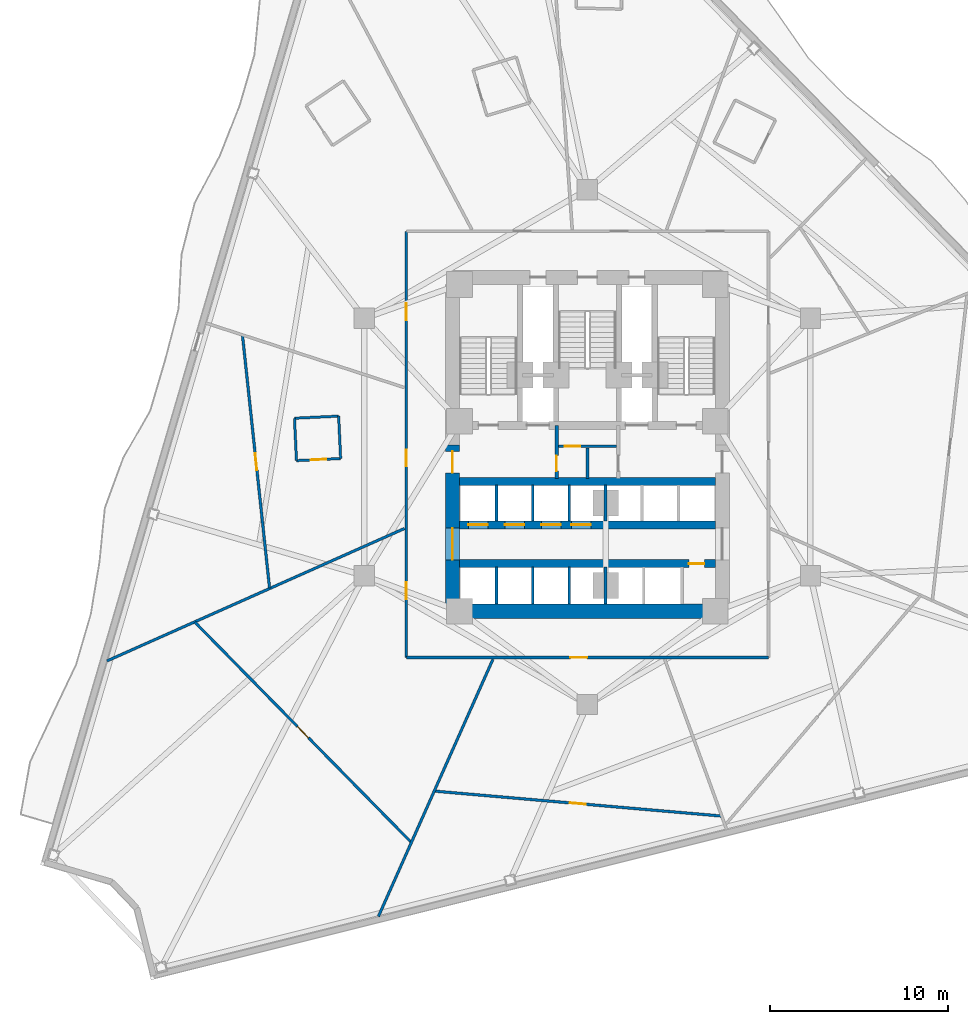
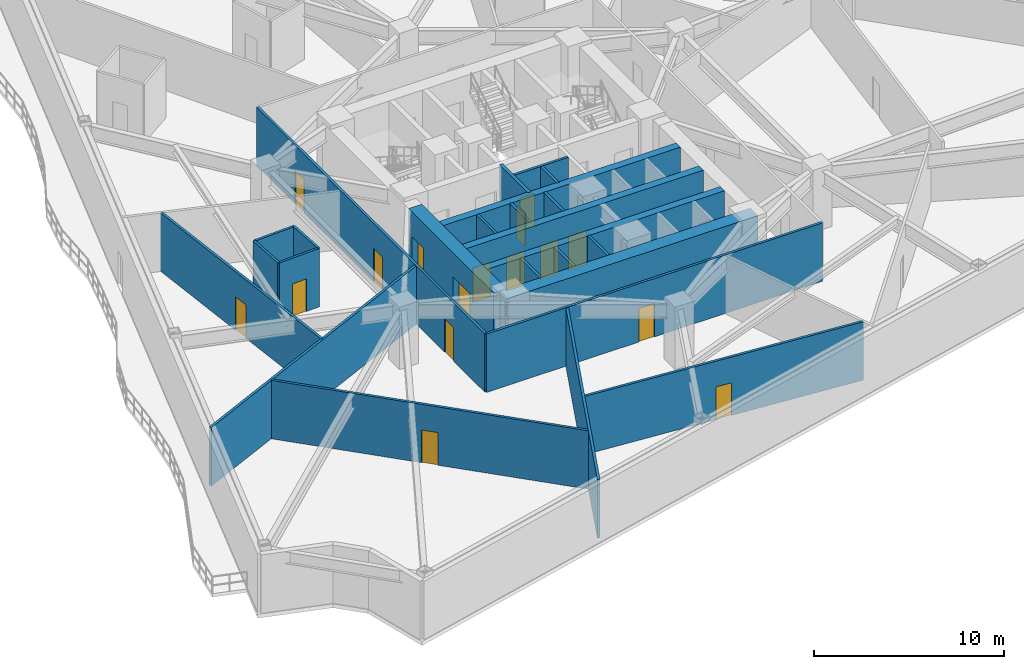
# One storey, part 3 of 9: 27 walls, 17 doors, 17 openings.
"""IFC4 building model written with IfcOpenShell, lengths in metres."""

import ifcopenshell
import ifcopenshell.guid

model = None  # the IFC model being written
_history = None  # IfcOwnerHistory: only IFC2X3 demands one
_inside = {}  # id of a spatial element -> (the spatial element, [elements in it])
_under = {}  # id of a project, library or spatial element -> (it, [spatial elements below it])
_declared = {}  # id of a project -> (the project, [libraries it declares])
_typed = {}  # id of a type object -> (the type object, [elements of that type])
_made_of = {}  # id of a material, layer set ... -> (it, [elements and type objects made of it])


def new_model(schema):
    """Start an empty IFC model of exactly this schema.

    Asked for "IFC4X3", IfcOpenShell would pick the latest addendum, in which some entities
    have other attributes; the version numbers below select the first issue.
    IFC2X3 requires an IfcOwnerHistory on every rooted entity: one is made here for all.
    """
    global model, _history
    if schema == "IFC4X3":
        model = ifcopenshell.file(schema_version=(4, 3, 0, 0))
    else:
        model = ifcopenshell.file(schema=schema)
    _inside.clear()
    _under.clear()
    _declared.clear()
    _typed.clear()
    _made_of.clear()
    _history = None
    if model.schema == "IFC2X3":
        org = make("IfcOrganization", Name="unknown")
        user = make(
            "IfcPersonAndOrganization",
            ThePerson=make("IfcPerson", FamilyName="unknown"),
            TheOrganization=org,
        )
        app = make(
            "IfcApplication",
            ApplicationDeveloper=org,
            Version="unknown",
            ApplicationFullName="unknown",
            ApplicationIdentifier="unknown",
        )
        _history = make(
            "IfcOwnerHistory",
            OwningUser=user,
            OwningApplication=app,
            ChangeAction="ADDED",
            CreationDate=0,
        )
    return model


def make(cls, **values):
    """One entity of the class cls with the attributes given. An attribute that is None is left unset."""
    return model.create_entity(
        cls, **{name: value for name, value in values.items() if value is not None}
    )


def rooted(cls, **values):
    """An entity with a GlobalId (a new one), such as an element, a storey or a relation."""
    return make(cls, GlobalId=ifcopenshell.guid.new(), OwnerHistory=_history, **values)


def si_unit(unit_type, name, prefix=None):
    """IfcSIUnit, for example si_unit("LENGTHUNIT", "METRE", prefix="MILLI")."""
    return make("IfcSIUnit", UnitType=unit_type, Prefix=prefix, Name=name)


def assignment(units):
    """IfcUnitAssignment: the units of a project."""
    return None if units is None else make("IfcUnitAssignment", Units=units)


def point(xyz):
    """IfcCartesianPoint."""
    return None if xyz is None else make("IfcCartesianPoint", Coordinates=xyz)


def direction(xyz):
    """IfcDirection."""
    return None if xyz is None else make("IfcDirection", DirectionRatios=xyz)


def frame(location, z_axis=None, x_axis=None):
    """IfcAxis2Placement3D, a coordinate frame: its origin and axes. An axis left out is left unset."""
    return make(
        "IfcAxis2Placement3D",
        Location=point(location),
        Axis=direction(z_axis),
        RefDirection=direction(x_axis),
    )


def frame_2d(location, x_axis=None):
    """IfcAxis2Placement2D, a coordinate frame in the plane: its origin and x axis."""
    return make(
        "IfcAxis2Placement2D", Location=point(location), RefDirection=direction(x_axis)
    )


def origin():
    """The frame at (0, 0, 0) with its axes left unset."""
    return frame((0.0, 0.0, 0.0))


def place(relative_to, where):
    """IfcLocalPlacement: puts the frame where relative to a parent placement (None: the world)."""
    return make(
        "IfcLocalPlacement", PlacementRelTo=relative_to, RelativePlacement=where
    )


def context(
    kind, dimensions, precision=None, world=None, true_north=None, identifier=None
):
    """IfcGeometricRepresentationContext, for example the 3D "Model" context."""
    return make(
        "IfcGeometricRepresentationContext",
        ContextIdentifier=identifier,
        ContextType=kind,
        CoordinateSpaceDimension=dimensions,
        Precision=precision,
        WorldCoordinateSystem=world,
        TrueNorth=true_north,
    )


def subcontext(parent, identifier, kind, view, scale=None):
    """IfcGeometricRepresentationSubContext, for example "Body" below "Model"."""
    return make(
        "IfcGeometricRepresentationSubContext",
        ContextIdentifier=identifier,
        ContextType=kind,
        ParentContext=parent,
        TargetScale=scale,
        TargetView=view,
    )


def project(units=None, contexts=None):
    """IfcProject with its units and contexts."""
    return rooted(
        "IfcProject",
        Name="project",
        RepresentationContexts=contexts,
        UnitsInContext=assignment(units),
    )


def spatial(cls, under=None, at=None, **own):
    """A site, building, storey or space (cls), placed at a placement, below another one or the project."""
    s = rooted(cls, ObjectPlacement=at, **own)
    if under is not None:
        _under.setdefault(under.id(), (under, []))[1].append(s)
    return s


def profile(cls, at=None, kind="AREA", **sizes):
    """A parametric profile (cls). Its sizes go by their IFC names, for example OverallWidth=200.0."""
    return make(cls, ProfileType=kind, Position=at, **sizes)


def rectangle(**sizes):
    """IfcRectangleProfileDef."""
    return profile("IfcRectangleProfileDef", **sizes)


def extrude(swept, where, along, depth):
    """IfcExtrudedAreaSolid: the profile swept, set in the frame where, extruded along a direction by depth."""
    return make(
        "IfcExtrudedAreaSolid",
        SweptArea=swept,
        Position=where,
        ExtrudedDirection=direction(along),
        Depth=depth,
    )


def shape(context_of_items, identifier, shape_type, items):
    """IfcShapeRepresentation: the items that make up one representation, for example the "Body"."""
    return make(
        "IfcShapeRepresentation",
        ContextOfItems=context_of_items,
        RepresentationIdentifier=identifier,
        RepresentationType=shape_type,
        Items=items,
    )


def material(Name=None, Category=None):
    """IfcMaterial."""
    return make("IfcMaterial", Name=Name, Category=Category)


def layer(
    of_material, thickness, ventilated=None, Name=None, Category=None, Priority=None
):
    """IfcMaterialLayer: one layer of a wall or slab, of a material (None: an air gap)."""
    return make(
        "IfcMaterialLayer",
        Material=of_material,
        LayerThickness=thickness,
        IsVentilated=ventilated,
        Name=Name,
        Category=Category,
        Priority=Priority,
    )


def layer_set(layers, Name=None):
    """IfcMaterialLayerSet."""
    return make("IfcMaterialLayerSet", MaterialLayers=layers, LayerSetName=Name)


def made_of(thing, what):
    """Note that an element or type object is made of a material, layer set ...; save() writes the relation."""
    if what is not None:
        _made_of.setdefault(what.id(), (what, []))[1].append(thing)
    return thing


def type_object(cls, material=None, **own):
    """A type object (cls), such as IfcWallType, which elements share."""
    return made_of(rooted(cls, **own), material)


def element(
    cls,
    number,
    at=None,
    inside=None,
    cuts=None,
    type_object=None,
    material=None,
    context=None,
    identifier="Body",
    shape_type=None,
    held_by="IfcProductDefinitionShape",
    body=None,
    shapes=None,
    **own,
):
    """One element of the class cls, such as IfcWall. Its Tag is "e" and its number.

    at: its placement. inside: the storey or other place that contains it. cuts: it is an
    opening in that element (IfcRelVoidsElement). A single representation is given by context,
    identifier, shape_type and body (its items); several are given by shapes. held_by: the class
    of the entity that holds the representations. save() writes the other relations.
    """
    e = rooted(cls, Tag="e%d" % number, ObjectPlacement=at, **own)
    if body is not None:
        shapes = [shape(context, identifier, shape_type, body)]
    if shapes is not None:
        e.Representation = make(held_by, Representations=shapes)
    if inside is not None:
        _inside.setdefault(inside.id(), (inside, []))[1].append(e)
    if cuts is not None:
        rooted(
            "IfcRelVoidsElement", RelatingBuildingElement=cuts, RelatedOpeningElement=e
        )
    if type_object is not None:
        _typed.setdefault(type_object.id(), (type_object, []))[1].append(e)
    return made_of(e, material)


def fill(opening, filler):
    """IfcRelFillsElement: the door or window that sits in an opening."""
    return rooted(
        "IfcRelFillsElement",
        RelatingOpeningElement=opening,
        RelatedBuildingElement=filler,
    )


def aggregate(whole, parts):
    """IfcRelAggregates: a whole, such as a stair, and the parts it consists of."""
    return rooted("IfcRelAggregates", RelatingObject=whole, RelatedObjects=parts)


def save(model, path):
    """Write the relations noted so far, then the file.

    IfcRelAggregates (storeys below a building ...), IfcRelContainedInSpatialStructure (elements
    in a storey), IfcRelDefinesByType, IfcRelAssociatesMaterial and IfcRelDeclares: one each for
    every whole, place, type object, material and project.
    """
    for whole, parts in _under.values():
        aggregate(whole, parts)
    for where, things in _inside.values():
        rooted(
            "IfcRelContainedInSpatialStructure",
            RelatedElements=things,
            RelatingStructure=where,
        )
    for kind, things in _typed.values():
        rooted("IfcRelDefinesByType", RelatedObjects=things, RelatingType=kind)
    for what, things in _made_of.values():
        rooted("IfcRelAssociatesMaterial", RelatedObjects=things, RelatingMaterial=what)
    for by, libraries in _declared.values():
        rooted("IfcRelDeclares", RelatingContext=by, RelatedDefinitions=libraries)
    model.write(path)


model = new_model("IFC4")

# Units and contexts
model_context = context("Model", 3, precision=1e-05, world=origin(), true_north=direction((0.0, 1.0)))
body_context = subcontext(model_context, "Body", "Model", "MODEL_VIEW")
ifc_project = project(units=[si_unit("LENGTHUNIT", "METRE"), si_unit("AREAUNIT", "SQUARE_METRE"), si_unit("VOLUMEUNIT", "CUBIC_METRE"), si_unit("PLANEANGLEUNIT", "RADIAN"), si_unit("MASSUNIT", "GRAM", prefix="KILO")], contexts=[model_context])

# Site, building, storey
site_placement = place(None, origin())
site = spatial("IfcSite", under=ifc_project, at=site_placement, CompositionType="ELEMENT")
building_placement = place(site_placement, origin())
building = spatial("IfcBuilding", under=site, at=building_placement, Name="Apsidion Concourse Tower", CompositionType="ELEMENT")
storey_placement = place(building_placement, frame((0.0, 0.0, 103.0)))
storey = spatial("IfcBuildingStorey", under=building, at=storey_placement, Name="L23", CompositionType="ELEMENT", Elevation=103.0)

# Walls
ifc_material_1 = material(Name="Gypsum plasterboard partition")
ifc_layer_1 = layer(ifc_material_1, 0.139892578125)
ifc_layer_set_1 = layer_set([ifc_layer_1], Name="Gypsum plasterboard partition")
wall_type_1 = type_object("IfcWallType", Name="WL-INT-PAR-140", PredefinedType="PARTITIONING", material=ifc_layer_set_1)
wall_1_placement = place(storey_placement, frame((-14.0107421875, 1.73876953125, 0.0), z_axis=(0.0, 0.0, 1.0), x_axis=(-0.998891967953, -0.04706204796, 0.0)))
element("IfcWall", 1, at=wall_1_placement, inside=storey, type_object=wall_type_1, Name="L23 Interior Partition WL-L23-POD-HKAWC-S1", PredefinedType="PARTITIONING", context=body_context, shape_type="SweptSolid", body=[
    extrude(rectangle(XDim=2.489990234375, YDim=0.139892578125, at=frame_2d((1.2451171875, 0.0))), origin(), (0.0, 0.0, 1.0), 3.75),
])
wall_2_placement = place(storey_placement, frame((-16.498046875, 1.62158203125, 0.0), z_axis=(0.0, 0.0, 1.0), x_axis=(0.047089538804, -0.998890672364, 0.0)))
element("IfcWall", 2, at=wall_2_placement, inside=storey, type_object=wall_type_1, Name="L23 Interior Partition WL-L23-POD-HKAWC-S2", PredefinedType="PARTITIONING", context=body_context, shape_type="SweptSolid", body=[
    extrude(rectangle(XDim=2.39013671875, YDim=0.139892578125, at=frame_2d((1.195068359375, 0.0))), origin(), (0.0, 0.0, 1.0), 3.75),
])

# Wall, opening, door
wall_3_placement = place(storey_placement, frame((-16.385498046875, -0.765869140625, 0.0), z_axis=(0.0, 0.0, 1.0), x_axis=(0.998887354054, 0.04715987606, 0.0)))
wall_3 = element("IfcWall", 3, at=wall_3_placement, inside=storey, type_object=wall_type_1, Name="L23 Interior Partition WL-L23-POD-HKAWC-S3", PredefinedType="PARTITIONING", context=body_context, shape_type="SweptSolid", body=[
    extrude(rectangle(XDim=2.489990234375, YDim=0.139892578125, at=frame_2d((1.2451171875, 0.0))), origin(), (0.0, 0.0, 1.0), 3.75),
])
opening_1_placement = place(wall_3_placement, frame((0.804931640625, 0.0, 0.0)))
opening_1 = element("IfcOpeningElement", 4, at=opening_1_placement, cuts=wall_3, Name="Opening D-03L", PredefinedType="OPENING", context=body_context, shape_type="SweptSolid", body=[
    extrude(rectangle(XDim=0.8798828125, YDim=2.10009765625, at=frame_2d((0.43994140625, 1.050048828125))), frame((0.0, 0.080078125, 0.0), z_axis=(0.0, -1.0, 0.0), x_axis=(1.0, 0.0, 0.0)), (0.0, 0.0, 1.0), 0.159912109375),
])
ifc_material_2 = material(Name="Anodised aluminium EN AW-6063 T6", Category="aluminium")
door_type_1 = type_object("IfcDoorType", Name="DR-INT-D03L", OperationType="SINGLE_SWING_LEFT", PredefinedType="DOOR", material=ifc_material_2)
door_1_placement = place(opening_1_placement, origin())
door_1 = element("IfcDoor", 5, at=door_1_placement, inside=storey, type_object=door_type_1, Name="L23 Hotel Accessible WC Door HKAWC", OperationType="SINGLE_SWING_LEFT", OverallHeight=2.10009765625, OverallWidth=0.8798828125, PredefinedType="DOOR", context=body_context, shape_type="SweptSolid", body=[
    extrude(rectangle(XDim=0.8798828125, YDim=2.10009765625, at=frame_2d((0.43994140625, 1.050048828125))), frame((0.0, 0.02490234375, 0.0), z_axis=(0.0, -1.0, 0.0), x_axis=(1.0, 0.0, 0.0)), (0.0, 0.0, 1.0), 0.050048828125),
])
fill(opening_1, door_1)

# Walls
wall_4_placement = place(storey_placement, frame((-13.898193359375, -0.6484375, 0.0), z_axis=(0.0, 0.0, 1.0), x_axis=(-0.047094343989, 0.998890445827, 0.0)))
element("IfcWall", 6, at=wall_4_placement, inside=storey, type_object=wall_type_1, Name="L23 Interior Partition WL-L23-POD-HKAWC-S4", PredefinedType="PARTITIONING", context=body_context, shape_type="SweptSolid", body=[
    extrude(rectangle(XDim=2.389892578125, YDim=0.139892578125, at=frame_2d((1.19482421875, 0.0))), origin(), (0.0, 0.0, 1.0), 3.75),
])
ifc_layer_2 = layer(ifc_material_1, 0.14990234375)
ifc_layer_set_2 = layer_set([ifc_layer_2], Name="Gypsum plasterboard partition")
wall_type_2 = type_object("IfcWallType", Name="WL-INT-PAR-150", PredefinedType="PARTITIONING", material=ifc_layer_set_2)
for number, where, z_axis, x_axis, name in (
    (7, (-5.125, -4.179931640625, 0.0), (0.0, 0.0, 1.0), (0.0, 1.0, 0.0), "L23 Interior Partition WL-L23-B1DIV-1"),
    (8, (-3.074951171875, -4.179931640625, 0.0), (0.0, 0.0, 1.0), (0.0, 1.0, 0.0), "L23 Interior Partition WL-L23-B1DIV-2"),
    (9, (-1.02490234375, -4.179931640625, 0.0), (0.0, 0.0, 1.0), (0.0, 1.0, 0.0), "L23 Interior Partition WL-L23-B1DIV-3"),
):
    element("IfcWall", number, at=place(storey_placement, frame(where, z_axis=z_axis, x_axis=x_axis)), inside=storey, type_object=wall_type_2, Name=name, PredefinedType="PARTITIONING", context=body_context, shape_type="SweptSolid", body=[
        extrude(rectangle(XDim=2.030029296875, YDim=0.14990234375, at=frame_2d((1.01513671875, 0.0))), origin(), (0.0, 0.0, 1.0), 3.75),
    ])
for number, where, z_axis, x_axis, name in (
    (10, (-5.125, -8.85009765625, 0.0), (0.0, 0.0, 1.0), (0.0, 1.0, 0.0), "L23 Interior Partition WL-L23-B2DIV-1"),
    (11, (-3.074951171875, -8.85009765625, 0.0), (0.0, 0.0, 1.0), (0.0, 1.0, 0.0), "L23 Interior Partition WL-L23-B2DIV-2"),
    (12, (-1.02490234375, -8.85009765625, 0.0), (0.0, 0.0, 1.0), (0.0, 1.0, 0.0), "L23 Interior Partition WL-L23-B2DIV-3"),
):
    element("IfcWall", number, at=place(storey_placement, frame(where, z_axis=z_axis, x_axis=x_axis)), inside=storey, type_object=wall_type_2, Name=name, PredefinedType="PARTITIONING", context=body_context, shape_type="SweptSolid", body=[
        extrude(rectangle(XDim=2.080078125, YDim=0.14990234375, at=frame_2d((1.0400390625, 0.0))), origin(), (0.0, 0.0, 1.0), 3.75),
    ])

# Wall, opening, door
wall_5_placement = place(storey_placement, frame((-1.639892578125, 0.0400390625, 0.0), z_axis=(0.0, 0.0, 1.0), x_axis=(1.0, 0.0, 0.0)))
wall_5 = element("IfcWall", 13, at=wall_5_placement, inside=storey, type_object=wall_type_2, Name="L23 Interior Partition WL-L23-K4H", PredefinedType="PARTITIONING", context=body_context, shape_type="SweptSolid", body=[
    extrude(rectangle(XDim=3.27978515625, YDim=0.14990234375, at=frame_2d((1.639892578125, 0.0))), origin(), (0.0, 0.0, 1.0), 3.75),
])
opening_2_placement = place(wall_5_placement, frame((0.360107421875, 0.0, 0.0)))
opening_2 = element("IfcOpeningElement", 14, at=opening_2_placement, cuts=wall_5, Name="Opening D-03L", PredefinedType="OPENING", context=body_context, shape_type="SweptSolid", body=[
    extrude(rectangle(XDim=0.8798828125, YDim=2.10009765625, at=frame_2d((0.43994140625, 1.050048828125))), frame((0.0, 0.0849609375, 0.0), z_axis=(0.0, -1.0, 0.0), x_axis=(1.0, 0.0, 0.0)), (0.0, 0.0, 1.0), 0.169921875),
])
door_2_placement = place(opening_2_placement, origin())
door_2 = element("IfcDoor", 15, at=door_2_placement, inside=storey, type_object=door_type_1, Name="L23 Core Telecoms Door", OperationType="SINGLE_SWING_LEFT", OverallHeight=2.10009765625, OverallWidth=0.8798828125, PredefinedType="DOOR", context=body_context, shape_type="SweptSolid", body=[
    extrude(rectangle(XDim=0.8798828125, YDim=2.10009765625, at=frame_2d((0.43994140625, 1.050048828125))), frame((0.0, 0.02490234375, 0.0), z_axis=(0.0, -1.0, 0.0), x_axis=(1.0, 0.0, 0.0)), (0.0, 0.0, 1.0), 0.050048828125),
])
fill(opening_2, door_2)

# Wall
wall_6_placement = place(storey_placement, frame((0.0, -1.780029296875, 0.0), z_axis=(0.0, 0.0, 1.0), x_axis=(0.0, 1.0, 0.0)))
element("IfcWall", 16, at=wall_6_placement, inside=storey, type_object=wall_type_2, Name="L23 Interior Partition WL-L23-K4V", PredefinedType="PARTITIONING", context=body_context, shape_type="SweptSolid", body=[
    extrude(rectangle(XDim=1.72998046875, YDim=0.14990234375, at=frame_2d((0.864990234375, 0.0))), origin(), (0.0, 0.0, 1.0), 3.75),
])

# Wall, opening, door
wall_7_placement = place(storey_placement, frame((10.199951171875, -11.85009765625, 0.0), z_axis=(0.0, 0.0, 1.0), x_axis=(-1.0, 0.0, 0.0)))
wall_7 = element("IfcWall", 17, at=wall_7_placement, inside=storey, type_object=wall_type_2, Name="L23 Interior Partition WL-L23-CORR-03", PredefinedType="PARTITIONING", context=body_context, shape_type="SweptSolid", body=[
    extrude(rectangle(XDim=20.39990234375, YDim=0.14990234375, at=frame_2d((10.199951171875, 0.0))), origin(), (0.0, 0.0, 1.0), 3.75),
])
opening_3_placement = place(wall_7_placement, frame((10.21044921875, 0.0, 0.0)))
opening_3 = element("IfcOpeningElement", 18, at=opening_3_placement, cuts=wall_7, Name="Opening D-01L", PredefinedType="OPENING", context=body_context, shape_type="SweptSolid", body=[
    extrude(rectangle(XDim=0.949951171875, YDim=2.14990234375, at=frame_2d((0.47509765625, 1.074951171875))), frame((0.0, 0.0849609375, 0.0), z_axis=(0.0, -1.0, 0.0), x_axis=(1.0, 0.0, 0.0)), (0.0, 0.0, 1.0), 0.169921875),
])
ifc_material_3 = material(Name="Brushed stainless steel 316", Category="steel")
door_type_2 = type_object("IfcDoorType", Name="DR-INT-D01L", OperationType="SINGLE_SWING_LEFT", PredefinedType="DOOR", material=ifc_material_3)
door_3_placement = place(opening_3_placement, origin())
door_3 = element("IfcDoor", 19, at=door_3_placement, inside=storey, type_object=door_type_2, Name="L23 Corridor Entry Door 03", OperationType="SINGLE_SWING_LEFT", OverallHeight=2.14990234375, OverallWidth=0.949951171875, PredefinedType="DOOR", context=body_context, shape_type="SweptSolid", body=[
    extrude(rectangle(XDim=0.949951171875, YDim=2.14990234375, at=frame_2d((0.47509765625, 1.074951171875))), frame((0.0, 0.02490234375, 0.0), z_axis=(0.0, -1.0, 0.0), x_axis=(1.0, 0.0, 0.0)), (0.0, 0.0, 1.0), 0.050048828125),
])
fill(opening_3, door_3)

# Wall, openings, doors
wall_8_placement = place(storey_placement, frame((-10.199951171875, -11.85009765625, 0.0), z_axis=(0.0, 0.0, 1.0), x_axis=(0.0, 1.0, 0.0)))
wall_8 = element("IfcWall", 20, at=wall_8_placement, inside=storey, type_object=wall_type_2, Name="L23 Interior Partition WL-L23-CORR-04", PredefinedType="PARTITIONING", context=body_context, shape_type="SweptSolid", body=[
    extrude(rectangle(XDim=24.0, YDim=0.14990234375, at=frame_2d((12.0, 0.0))), origin(), (0.0, 0.0, 1.0), 3.75),
])
opening_4_placement = place(wall_8_placement, frame((10.754638671875, 0.0, 0.0)))
opening_4 = element("IfcOpeningElement", 21, at=opening_4_placement, cuts=wall_8, Name="Opening D-01L", PredefinedType="OPENING", context=body_context, shape_type="SweptSolid", body=[
    extrude(rectangle(XDim=0.949951171875, YDim=2.14990234375, at=frame_2d((0.47509765625, 1.074951171875))), frame((0.0, 0.0849609375, 0.0), z_axis=(0.0, -1.0, 0.0), x_axis=(1.0, 0.0, 0.0)), (0.0, 0.0, 1.0), 0.169921875),
])
opening_5_placement = place(wall_8_placement, frame((3.285888671875, 0.0, 0.0)))
opening_5 = element("IfcOpeningElement", 22, at=opening_5_placement, cuts=wall_8, Name="Opening D-01R", PredefinedType="OPENING", context=body_context, shape_type="SweptSolid", body=[
    extrude(rectangle(XDim=0.949951171875, YDim=2.14990234375, at=frame_2d((0.47509765625, 1.074951171875))), frame((0.0, 0.0849609375, 0.0), z_axis=(0.0, -1.0, 0.0), x_axis=(1.0, 0.0, 0.0)), (0.0, 0.0, 1.0), 0.169921875),
])
opening_6_placement = place(wall_8_placement, frame((18.993896484375, 0.0, 0.0)))
opening_6 = element("IfcOpeningElement", 23, at=opening_6_placement, cuts=wall_8, Name="Opening D-01R", PredefinedType="OPENING", context=body_context, shape_type="SweptSolid", body=[
    extrude(rectangle(XDim=0.949951171875, YDim=2.14990234375, at=frame_2d((0.47509765625, 1.074951171875))), frame((0.0, 0.0849609375, 0.0), z_axis=(0.0, -1.0, 0.0), x_axis=(1.0, 0.0, 0.0)), (0.0, 0.0, 1.0), 0.169921875),
])
door_4_placement = place(opening_4_placement, origin())
door_4 = element("IfcDoor", 24, at=door_4_placement, inside=storey, type_object=door_type_2, Name="L23 Corridor Entry Door 01", OperationType="SINGLE_SWING_LEFT", OverallHeight=2.14990234375, OverallWidth=0.949951171875, PredefinedType="DOOR", context=body_context, shape_type="SweptSolid", body=[
    extrude(rectangle(XDim=0.949951171875, YDim=2.14990234375, at=frame_2d((0.47509765625, 1.074951171875))), frame((0.0, 0.02490234375, 0.0), z_axis=(0.0, -1.0, 0.0), x_axis=(1.0, 0.0, 0.0)), (0.0, 0.0, 1.0), 0.050048828125),
])
fill(opening_4, door_4)
door_type_3 = type_object("IfcDoorType", Name="DR-INT-D01R", OperationType="SINGLE_SWING_RIGHT", PredefinedType="DOOR", material=ifc_material_3)
door_5_placement = place(opening_5_placement, origin())
door_5 = element("IfcDoor", 25, at=door_5_placement, inside=storey, type_object=door_type_3, Name="L23 Corridor Entry Door 02", OperationType="SINGLE_SWING_RIGHT", OverallHeight=2.14990234375, OverallWidth=0.949951171875, PredefinedType="DOOR", context=body_context, shape_type="SweptSolid", body=[
    extrude(rectangle(XDim=0.949951171875, YDim=2.14990234375, at=frame_2d((0.47509765625, 1.074951171875))), frame((0.0, 0.02490234375, 0.0), z_axis=(0.0, -1.0, 0.0), x_axis=(1.0, 0.0, 0.0)), (0.0, 0.0, 1.0), 0.050048828125),
])
fill(opening_5, door_5)
door_6_placement = place(opening_6_placement, origin())
door_6 = element("IfcDoor", 26, at=door_6_placement, inside=storey, type_object=door_type_3, Name="L23 Corridor Entry Door 10", OperationType="SINGLE_SWING_RIGHT", OverallHeight=2.14990234375, OverallWidth=0.949951171875, PredefinedType="DOOR", context=body_context, shape_type="SweptSolid", body=[
    extrude(rectangle(XDim=0.949951171875, YDim=2.14990234375, at=frame_2d((0.47509765625, 1.074951171875))), frame((0.0, 0.02490234375, 0.0), z_axis=(0.0, -1.0, 0.0), x_axis=(1.0, 0.0, 0.0)), (0.0, 0.0, 1.0), 0.050048828125),
])
fill(opening_6, door_6)

# Walls
wall_9_placement = place(storey_placement, frame((-10.304931640625, -4.588134765625, 0.0), z_axis=(0.0, 0.0, 1.0), x_axis=(-0.913545101845, -0.406737442209, 0.0)))
element("IfcWall", 27, at=wall_9_placement, inside=storey, type_object=wall_type_2, Name="L23 Interior Partition WL-L23-RAD-07-1", PredefinedType="PARTITIONING", context=body_context, shape_type="SweptSolid", body=[
    extrude(rectangle(XDim=18.339111328125, YDim=0.14990234375, at=frame_2d((9.16943359375, 0.0))), origin(), (0.0, 0.0, 1.0), 3.75),
])
wall_10_placement = place(storey_placement, frame((-5.32275390625, -11.955078125, 0.0), z_axis=(0.0, 0.0, 1.0), x_axis=(-0.406742899109, -0.913542672252, 0.0)))
element("IfcWall", 28, at=wall_10_placement, inside=storey, type_object=wall_type_2, Name="L23 Interior Partition WL-L23-RAD-08-1", PredefinedType="PARTITIONING", context=body_context, shape_type="SweptSolid", body=[
    extrude(rectangle(XDim=15.850341796875, YDim=0.14990234375, at=frame_2d((7.92529296875, 0.0))), origin(), (0.0, 0.0, 1.0), 3.75),
])

# Wall, opening, door
wall_11_placement = place(storey_placement, frame((-19.4248046875, 6.28515625, 0.0), z_axis=(0.0, 0.0, 1.0), x_axis=(0.106499989616, -0.994312703435, 0.0)))
wall_11 = element("IfcWall", 29, at=wall_11_placement, inside=storey, type_object=wall_type_2, Name="L23 Interior Partition WL-L23-CHD-HKWC", PredefinedType="PARTITIONING", context=body_context, shape_type="SweptSolid", body=[
    extrude(rectangle(XDim=14.30908203125, YDim=0.14990234375, at=frame_2d((7.154541015625, 0.0))), origin(), (0.0, 0.0, 1.0), 3.75),
])
opening_7_placement = place(wall_11_placement, frame((6.6796875, 0.0, 0.0)))
opening_7 = element("IfcOpeningElement", 30, at=opening_7_placement, cuts=wall_11, Name="Opening D-04R", PredefinedType="OPENING", context=body_context, shape_type="SweptSolid", body=[
    extrude(rectangle(XDim=0.949951171875, YDim=2.14990234375, at=frame_2d((0.47509765625, 1.074951171875))), frame((0.0, 0.0849609375, 0.0), z_axis=(0.0, -1.0, 0.0), x_axis=(1.0, 0.0, 0.0)), (0.0, 0.0, 1.0), 0.169921875),
])
door_type_4 = type_object("IfcDoorType", Name="DR-INT-D04R", OperationType="SINGLE_SWING_RIGHT", PredefinedType="DOOR", material=ifc_material_3)
door_7_placement = place(opening_7_placement, origin())
door_7 = element("IfcDoor", 31, at=door_7_placement, inside=storey, type_object=door_type_4, Name="L23 Suite Connecting Door HKWC", OperationType="SINGLE_SWING_RIGHT", OverallHeight=2.14990234375, OverallWidth=0.949951171875, PredefinedType="DOOR", context=body_context, shape_type="SweptSolid", body=[
    extrude(rectangle(XDim=0.949951171875, YDim=2.14990234375, at=frame_2d((0.47509765625, 1.074951171875))), frame((0.0, 0.02490234375, 0.0), z_axis=(0.0, -1.0, 0.0), x_axis=(1.0, 0.0, 0.0)), (0.0, 0.0, 1.0), 0.050048828125),
])
fill(opening_7, door_7)

wall_12_placement = place(storey_placement, frame((-22.102783203125, -9.8681640625, 0.0), z_axis=(0.0, 0.0, 1.0), x_axis=(0.700899335427, -0.713260206095, 0.0)))
wall_12 = element("IfcWall", 32, at=wall_12_placement, inside=storey, type_object=wall_type_2, Name="L23 Interior Partition WL-L23-CHD-HXS01", PredefinedType="PARTITIONING", context=body_context, shape_type="SweptSolid", body=[
    extrude(rectangle(XDim=17.361083984375, YDim=0.14990234375, at=frame_2d((8.6806640625, 0.0))), origin(), (0.0, 0.0, 1.0), 3.75),
])
opening_8_placement = place(wall_12_placement, frame((8.230712890625, 0.0, 0.0)))
opening_8 = element("IfcOpeningElement", 33, at=opening_8_placement, cuts=wall_12, Name="Opening D-02L", PredefinedType="OPENING", context=body_context, shape_type="SweptSolid", body=[
    extrude(rectangle(XDim=0.89990234375, YDim=2.10009765625, at=frame_2d((0.449951171875, 1.050048828125))), frame((0.0, 0.0849609375, 0.0), z_axis=(0.0, -1.0, 0.0), x_axis=(1.0, 0.0, 0.0)), (0.0, 0.0, 1.0), 0.169921875),
])
door_type_5 = type_object("IfcDoorType", Name="DR-INT-D02L", OperationType="SINGLE_SWING_LEFT", PredefinedType="DOOR", material=ifc_material_2)
door_8_placement = place(opening_8_placement, origin())
door_8 = element("IfcDoor", 34, at=door_8_placement, inside=storey, type_object=door_type_5, Name="L23 Suite Connecting Door HXS01", OperationType="SINGLE_SWING_LEFT", OverallHeight=2.10009765625, OverallWidth=0.89990234375, PredefinedType="DOOR", context=body_context, shape_type="SweptSolid", body=[
    extrude(rectangle(XDim=0.89990234375, YDim=2.10009765625, at=frame_2d((0.449951171875, 1.050048828125))), frame((0.0, 0.02490234375, 0.0), z_axis=(0.0, -1.0, 0.0), x_axis=(1.0, 0.0, 0.0)), (0.0, 0.0, 1.0), 0.050048828125),
])
fill(opening_8, door_8)

wall_13_placement = place(storey_placement, frame((-8.6005859375, -19.37890625, 0.0), z_axis=(0.0, 0.0, 1.0), x_axis=(0.996246863146, -0.086557424131, 0.0)))
wall_13 = element("IfcWall", 35, at=wall_13_placement, inside=storey, type_object=wall_type_2, Name="L23 Interior Partition WL-L23-CHD-HXS02", PredefinedType="PARTITIONING", context=body_context, shape_type="SweptSolid", body=[
    extrude(rectangle(XDim=16.198486328125, YDim=0.14990234375, at=frame_2d((8.09912109375, 0.0))), origin(), (0.0, 0.0, 1.0), 3.75),
])
opening_9_placement = place(wall_13_placement, frame((7.649169921875, 0.0, 0.0)))
opening_9 = element("IfcOpeningElement", 36, at=opening_9_placement, cuts=wall_13, Name="Opening D-02R", PredefinedType="OPENING", context=body_context, shape_type="SweptSolid", body=[
    extrude(rectangle(XDim=0.89990234375, YDim=2.10009765625, at=frame_2d((0.449951171875, 1.050048828125))), frame((0.0, 0.0849609375, 0.0), z_axis=(0.0, -1.0, 0.0), x_axis=(1.0, 0.0, 0.0)), (0.0, 0.0, 1.0), 0.169921875),
])
door_type_6 = type_object("IfcDoorType", Name="DR-INT-D02R", OperationType="SINGLE_SWING_RIGHT", PredefinedType="DOOR", material=ifc_material_2)
door_9_placement = place(opening_9_placement, origin())
door_9 = element("IfcDoor", 37, at=door_9_placement, inside=storey, type_object=door_type_6, Name="L23 Suite Connecting Door HXS02", OperationType="SINGLE_SWING_RIGHT", OverallHeight=2.10009765625, OverallWidth=0.89990234375, PredefinedType="DOOR", context=body_context, shape_type="SweptSolid", body=[
    extrude(rectangle(XDim=0.89990234375, YDim=2.10009765625, at=frame_2d((0.449951171875, 1.050048828125))), frame((0.0, 0.02490234375, 0.0), z_axis=(0.0, -1.0, 0.0), x_axis=(1.0, 0.0, 0.0)), (0.0, 0.0, 1.0), 0.050048828125),
])
fill(opening_9, door_9)

# Walls
ifc_layer_3 = layer(ifc_material_1, 0.179931640625)
ifc_layer_set_3 = layer_set([ifc_layer_3], Name="Gypsum plasterboard partition")
wall_type_3 = type_object("IfcWallType", Name="WL-INT-PAR-180", PredefinedType="PARTITIONING", material=ifc_layer_set_3)
wall_14_placement = place(storey_placement, frame((1.02490234375, -4.179931640625, 0.0), z_axis=(0.0, 0.0, 1.0), x_axis=(0.0, 1.0, 0.0)))
element("IfcWall", 38, at=wall_14_placement, inside=storey, type_object=wall_type_3, Name="L23 Interior Partition WL-L23-B1END", PredefinedType="PARTITIONING", context=body_context, shape_type="SweptSolid", body=[
    extrude(rectangle(XDim=2.030029296875, YDim=0.179931640625, at=frame_2d((1.01513671875, 0.0))), origin(), (0.0, 0.0, 1.0), 2.798095703125),
])
wall_15_placement = place(storey_placement, frame((1.02490234375, -8.85009765625, 0.0), z_axis=(0.0, 0.0, 1.0), x_axis=(0.0, 1.0, 0.0)))
element("IfcWall", 39, at=wall_15_placement, inside=storey, type_object=wall_type_3, Name="L23 Interior Partition WL-L23-B2END", PredefinedType="PARTITIONING", context=body_context, shape_type="SweptSolid", body=[
    extrude(rectangle(XDim=2.080078125, YDim=0.179931640625, at=frame_2d((1.0400390625, 0.0))), origin(), (0.0, 0.0, 1.0), 2.798095703125),
])

# Wall, opening, door
ifc_layer_4 = layer(ifc_material_1, 0.199951171875)
ifc_layer_set_4 = layer_set([ifc_layer_4], Name="Gypsum plasterboard partition")
wall_type_4 = type_object("IfcWallType", Name="WL-INT-PAR-200", PredefinedType="PARTITIONING", material=ifc_layer_set_4)
wall_16_placement = place(storey_placement, frame((-1.739990234375, -1.780029296875, 0.0), z_axis=(0.0, 0.0, 1.0), x_axis=(0.0, 1.0, 0.0)))
wall_16 = element("IfcWall", 40, at=wall_16_placement, inside=storey, type_object=wall_type_4, Name="L23 Interior Partition WL-L23-FF1-E", PredefinedType="PARTITIONING", context=body_context, shape_type="SweptSolid", body=[
    extrude(rectangle(XDim=2.97998046875, YDim=0.199951171875, at=frame_2d((1.489990234375, 0.0))), origin(), (0.0, 0.0, 1.0), 3.75),
])
opening_10_placement = place(wall_16_placement, frame((0.419921875, 0.0, 0.0)))
opening_10 = element("IfcOpeningElement", 41, at=opening_10_placement, cuts=wall_16, Name="Opening D-05R", PredefinedType="OPENING", context=body_context, shape_type="SweptSolid", body=[
    extrude(rectangle(XDim=0.8798828125, YDim=2.14990234375, at=frame_2d((0.43994140625, 1.074951171875))), frame((0.0, 0.10986328125, 0.0), z_axis=(0.0, -1.0, 0.0), x_axis=(1.0, 0.0, 0.0)), (0.0, 0.0, 1.0), 0.219970703125),
])
door_type_7 = type_object("IfcDoorType", Name="DR-INT-D05R", OperationType="SINGLE_SWING_RIGHT", PredefinedType="DOOR", material=ifc_material_3)
door_10_placement = place(opening_10_placement, origin())
door_10 = element("IfcDoor", 42, at=door_10_placement, inside=storey, type_object=door_type_7, Name="L23 Core Switch Room Door", OperationType="SINGLE_SWING_RIGHT", OverallHeight=2.14990234375, OverallWidth=0.8798828125, PredefinedType="DOOR", context=body_context, shape_type="SweptSolid", body=[
    extrude(rectangle(XDim=0.8798828125, YDim=2.14990234375, at=frame_2d((0.43994140625, 1.074951171875))), frame((0.0, 0.02490234375, 0.0), z_axis=(0.0, -1.0, 0.0), x_axis=(1.0, 0.0, 0.0)), (0.0, 0.0, 1.0), 0.050048828125),
])
fill(opening_10, door_10)

# Wall
ifc_material_4 = material(Name="Concrete C60/75", Category="concrete")
ifc_layer_5 = layer(ifc_material_4, 0.449951171875)
ifc_layer_set_5 = layer_set([ifc_layer_5], Name="Concrete C60/75")
wall_type_5 = type_object("IfcWallType", Name="WL-SH-450", PredefinedType="SHEAR", material=ifc_layer_set_5)
wall_17_placement = place(storey_placement, frame((-7.199951171875, -1.949951171875, 0.0), z_axis=(0.0, 0.0, 1.0), x_axis=(1.0, 0.0, 0.0)))
element("IfcWall", 43, at=wall_17_placement, inside=storey, type_object=wall_type_5, Name="L23 Central Core Shear Wall M2", PredefinedType="SHEAR", context=body_context, shape_type="SweptSolid", body=[
    extrude(rectangle(XDim=14.39990234375, YDim=0.449951171875, at=frame_2d((7.199951171875, 0.0))), origin(), (0.0, 0.0, 1.0), 3.75),
])

# Wall, openings, doors
wall_18_placement = place(storey_placement, frame((-7.199951171875, -4.3798828125, 0.0), z_axis=(0.0, 0.0, 1.0), x_axis=(1.0, 0.0, 0.0)))
wall_18 = element("IfcWall", 44, at=wall_18_placement, inside=storey, type_object=wall_type_5, Name="L23 Central Core Shear Wall LA", PredefinedType="SHEAR", context=body_context, shape_type="SweptSolid", body=[
    extrude(rectangle(XDim=14.39990234375, YDim=0.449951171875, at=frame_2d((7.199951171875, 0.0))), origin(), (0.0, 0.0, 1.0), 3.75),
])
opening_11_placement = place(wall_18_placement, frame((0.5, 0.0, 0.0)))
opening_11 = element("IfcOpeningElement", 45, at=opening_11_placement, cuts=wall_18, Name="Opening LD-P1", PredefinedType="OPENING", context=body_context, shape_type="SweptSolid", body=[
    extrude(rectangle(XDim=1.10009765625, YDim=2.199951171875, at=frame_2d((0.550048828125, 1.10009765625))), frame((0.0, 0.23486328125, 0.0), z_axis=(0.0, -1.0, 0.0), x_axis=(1.0, 0.0, 0.0)), (0.0, 0.0, 1.0), 0.469970703125),
])
opening_12_placement = place(wall_18_placement, frame((2.550048828125, 0.0, 0.0)))
opening_12 = element("IfcOpeningElement", 46, at=opening_12_placement, cuts=wall_18, Name="Opening LD-P1", PredefinedType="OPENING", context=body_context, shape_type="SweptSolid", body=[
    extrude(rectangle(XDim=1.10009765625, YDim=2.199951171875, at=frame_2d((0.550048828125, 1.10009765625))), frame((0.0, 0.23486328125, 0.0), z_axis=(0.0, -1.0, 0.0), x_axis=(1.0, 0.0, 0.0)), (0.0, 0.0, 1.0), 0.469970703125),
])
opening_13_placement = place(wall_18_placement, frame((4.60009765625, 0.0, 0.0)))
opening_13 = element("IfcOpeningElement", 47, at=opening_13_placement, cuts=wall_18, Name="Opening LD-P1", PredefinedType="OPENING", context=body_context, shape_type="SweptSolid", body=[
    extrude(rectangle(XDim=1.10009765625, YDim=2.199951171875, at=frame_2d((0.550048828125, 1.10009765625))), frame((0.0, 0.23486328125, 0.0), z_axis=(0.0, -1.0, 0.0), x_axis=(1.0, 0.0, 0.0)), (0.0, 0.0, 1.0), 0.469970703125),
])
opening_14_placement = place(wall_18_placement, frame((6.300048828125, 0.0, 0.0)))
opening_14 = element("IfcOpeningElement", 48, at=opening_14_placement, cuts=wall_18, Name="Opening LD-P1", PredefinedType="OPENING", context=body_context, shape_type="SweptSolid", body=[
    extrude(rectangle(XDim=1.10009765625, YDim=2.199951171875, at=frame_2d((0.550048828125, 1.10009765625))), frame((0.0, 0.23486328125, 0.0), z_axis=(0.0, -1.0, 0.0), x_axis=(1.0, 0.0, 0.0)), (0.0, 0.0, 1.0), 0.469970703125),
])
door_type_8 = type_object("IfcDoorType", Name="DR-LD-PASS", OperationType="DOUBLE_DOOR_SLIDING", PredefinedType="DOOR", material=ifc_material_3)
door_11_placement = place(opening_11_placement, origin())
door_11 = element("IfcDoor", 49, at=door_11_placement, inside=storey, type_object=door_type_8, Name="L23 Lift Landing Door P1", OperationType="DOUBLE_DOOR_SLIDING", OverallHeight=2.199951171875, OverallWidth=1.10009765625, PredefinedType="DOOR", context=body_context, shape_type="SweptSolid", body=[
    extrude(rectangle(XDim=1.10009765625, YDim=2.199951171875, at=frame_2d((0.550048828125, 1.10009765625))), frame((0.0, 0.02490234375, 0.0), z_axis=(0.0, -1.0, 0.0), x_axis=(1.0, 0.0, 0.0)), (0.0, 0.0, 1.0), 0.050048828125),
])
fill(opening_11, door_11)
door_12_placement = place(opening_12_placement, origin())
door_12 = element("IfcDoor", 50, at=door_12_placement, inside=storey, type_object=door_type_8, Name="L23 Lift Landing Door P2", OperationType="DOUBLE_DOOR_SLIDING", OverallHeight=2.199951171875, OverallWidth=1.10009765625, PredefinedType="DOOR", context=body_context, shape_type="SweptSolid", body=[
    extrude(rectangle(XDim=1.10009765625, YDim=2.199951171875, at=frame_2d((0.550048828125, 1.10009765625))), frame((0.0, 0.02490234375, 0.0), z_axis=(0.0, -1.0, 0.0), x_axis=(1.0, 0.0, 0.0)), (0.0, 0.0, 1.0), 0.050048828125),
])
fill(opening_12, door_12)
door_13_placement = place(opening_13_placement, origin())
door_13 = element("IfcDoor", 51, at=door_13_placement, inside=storey, type_object=door_type_8, Name="L23 Lift Landing Door P3", OperationType="DOUBLE_DOOR_SLIDING", OverallHeight=2.199951171875, OverallWidth=1.10009765625, PredefinedType="DOOR", context=body_context, shape_type="SweptSolid", body=[
    extrude(rectangle(XDim=1.10009765625, YDim=2.199951171875, at=frame_2d((0.550048828125, 1.10009765625))), frame((0.0, 0.02490234375, 0.0), z_axis=(0.0, -1.0, 0.0), x_axis=(1.0, 0.0, 0.0)), (0.0, 0.0, 1.0), 0.050048828125),
])
fill(opening_13, door_13)
door_14_placement = place(opening_14_placement, origin())
door_14 = element("IfcDoor", 52, at=door_14_placement, inside=storey, type_object=door_type_8, Name="L23 Lift Landing Door P4", OperationType="DOUBLE_DOOR_SLIDING", OverallHeight=2.199951171875, OverallWidth=1.10009765625, PredefinedType="DOOR", context=body_context, shape_type="SweptSolid", body=[
    extrude(rectangle(XDim=1.10009765625, YDim=2.199951171875, at=frame_2d((0.550048828125, 1.10009765625))), frame((0.0, 0.02490234375, 0.0), z_axis=(0.0, -1.0, 0.0), x_axis=(1.0, 0.0, 0.0)), (0.0, 0.0, 1.0), 0.050048828125),
])
fill(opening_14, door_14)

# Wall, opening, door
wall_19_placement = place(storey_placement, frame((-7.199951171875, -6.570068359375, 0.0), z_axis=(0.0, 0.0, 1.0), x_axis=(1.0, 0.0, 0.0)))
wall_19 = element("IfcWall", 53, at=wall_19_placement, inside=storey, type_object=wall_type_5, Name="L23 Central Core Shear Wall LB", PredefinedType="SHEAR", context=body_context, shape_type="SweptSolid", body=[
    extrude(rectangle(XDim=14.39990234375, YDim=0.449951171875, at=frame_2d((7.199951171875, 0.0))), origin(), (0.0, 0.0, 1.0), 3.75),
])
opening_15_placement = place(wall_19_placement, frame((12.909912109375, 0.0, 0.0)))
opening_15 = element("IfcOpeningElement", 54, at=opening_15_placement, cuts=wall_19, Name="Opening D-05L", PredefinedType="OPENING", context=body_context, shape_type="SweptSolid", body=[
    extrude(rectangle(XDim=0.8798828125, YDim=2.14990234375, at=frame_2d((0.43994140625, 1.074951171875))), frame((0.0, 0.23486328125, 0.0), z_axis=(0.0, -1.0, 0.0), x_axis=(1.0, 0.0, 0.0)), (0.0, 0.0, 1.0), 0.469970703125),
])
door_type_9 = type_object("IfcDoorType", Name="DR-INT-D05L", OperationType="SINGLE_SWING_LEFT", PredefinedType="DOOR", material=ifc_material_3)
door_15_placement = place(opening_15_placement, origin())
door_15 = element("IfcDoor", 55, at=door_15_placement, inside=storey, type_object=door_type_9, Name="L23 Cleaners Store Door", OperationType="SINGLE_SWING_LEFT", OverallHeight=2.14990234375, OverallWidth=0.8798828125, PredefinedType="DOOR", context=body_context, shape_type="SweptSolid", body=[
    extrude(rectangle(XDim=0.8798828125, YDim=2.14990234375, at=frame_2d((0.43994140625, 1.074951171875))), frame((0.0, 0.02490234375, 0.0), z_axis=(0.0, -1.0, 0.0), x_axis=(1.0, 0.0, 0.0)), (0.0, 0.0, 1.0), 0.050048828125),
])
fill(opening_15, door_15)

# Wall, openings, doors
ifc_layer_6 = layer(ifc_material_4, 0.800048828125)
ifc_layer_set_6 = layer_set([ifc_layer_6], Name="Concrete C60/75")
wall_type_6 = type_object("IfcWallType", Name="WL-SH-800", PredefinedType="SHEAR", material=ifc_layer_set_6)
wall_20_placement = place(storey_placement, frame((-7.60009765625, -8.85009765625, 0.0), z_axis=(0.0, 0.0, 1.0), x_axis=(0.0, 1.0, 0.0)))
wall_20 = element("IfcWall", 56, at=wall_20_placement, inside=storey, type_object=wall_type_6, Name="L23 Central Core Shear Wall WS", PredefinedType="SHEAR", context=body_context, shape_type="SweptSolid", body=[
    extrude(rectangle(XDim=8.9501953125, YDim=0.800048828125, at=frame_2d((4.47509765625, 0.0))), origin(), (0.0, 0.0, 1.0), 3.75),
])
opening_16_placement = place(wall_20_placement, frame((2.489990234375, 0.0, 0.0)))
opening_16 = element("IfcOpeningElement", 57, at=opening_16_placement, cuts=wall_20, Name="Opening D-06D", PredefinedType="OPENING", context=body_context, shape_type="SweptSolid", body=[
    extrude(rectangle(XDim=1.800048828125, YDim=2.199951171875, at=frame_2d((0.89990234375, 1.10009765625))), frame((0.0, 0.41015625, 0.0), z_axis=(0.0, -1.0, 0.0), x_axis=(1.0, 0.0, 0.0)), (0.0, 0.0, 1.0), 0.820068359375),
])
opening_17_placement = place(wall_20_placement, frame((7.39990234375, 0.0, 0.0)))
opening_17 = element("IfcOpeningElement", 58, at=opening_17_placement, cuts=wall_20, Name="Opening D-FFL", PredefinedType="OPENING", context=body_context, shape_type="SweptSolid", body=[
    extrude(rectangle(XDim=1.199951171875, YDim=2.14990234375, at=frame_2d((0.60009765625, 1.074951171875))), frame((0.0, 0.41015625, 0.0), z_axis=(0.0, -1.0, 0.0), x_axis=(1.0, 0.0, 0.0)), (0.0, 0.0, 1.0), 0.820068359375),
])
door_type_10 = type_object("IfcDoorType", Name="DR-INT-D06D", OperationType="DOUBLE_DOOR_SINGLE_SWING", PredefinedType="DOOR", material=ifc_material_3)
door_16_placement = place(opening_16_placement, origin())
door_16 = element("IfcDoor", 59, at=door_16_placement, inside=storey, type_object=door_type_10, Name="L23 Passenger Lift Lobby WS Portal Door", OperationType="DOUBLE_DOOR_SINGLE_SWING", OverallHeight=2.199951171875, OverallWidth=1.800048828125, PredefinedType="DOOR", context=body_context, shape_type="SweptSolid", body=[
    extrude(rectangle(XDim=1.800048828125, YDim=2.199951171875, at=frame_2d((0.89990234375, 1.10009765625))), frame((0.0, 0.02490234375, 0.0), z_axis=(0.0, -1.0, 0.0), x_axis=(1.0, 0.0, 0.0)), (0.0, 0.0, 1.0), 0.050048828125),
])
fill(opening_16, door_16)
door_type_11 = type_object("IfcDoorType", Name="DR-INT-FFL", OperationType="SINGLE_SWING_LEFT", PredefinedType="DOOR", material=ifc_material_3)
door_17_placement = place(opening_17_placement, origin())
door_17 = element("IfcDoor", 60, at=door_17_placement, inside=storey, type_object=door_type_11, Name="L23 Firefighting Lift Lobby FF1 Door", OperationType="SINGLE_SWING_LEFT", OverallHeight=2.14990234375, OverallWidth=1.199951171875, PredefinedType="DOOR", context=body_context, shape_type="SweptSolid", body=[
    extrude(rectangle(XDim=1.199951171875, YDim=2.14990234375, at=frame_2d((0.60009765625, 1.074951171875))), frame((0.0, 0.02490234375, 0.0), z_axis=(0.0, -1.0, 0.0), x_axis=(1.0, 0.0, 0.0)), (0.0, 0.0, 1.0), 0.050048828125),
])
fill(opening_17, door_17)

# Wall
wall_21_placement = place(storey_placement, frame((-7.60009765625, -9.25, 0.0), z_axis=(0.0, 0.0, 1.0), x_axis=(1.0, 0.0, 0.0)))
element("IfcWall", 61, at=wall_21_placement, inside=storey, type_object=wall_type_6, Name="L23 Central Core Shear Wall S", PredefinedType="SHEAR", context=body_context, shape_type="SweptSolid", body=[
    extrude(rectangle(XDim=15.2001953125, YDim=0.800048828125, at=frame_2d((7.60009765625, 0.0))), origin(), (0.0, 0.0, 1.0), 3.75),
])

save(model, "model.ifc")
